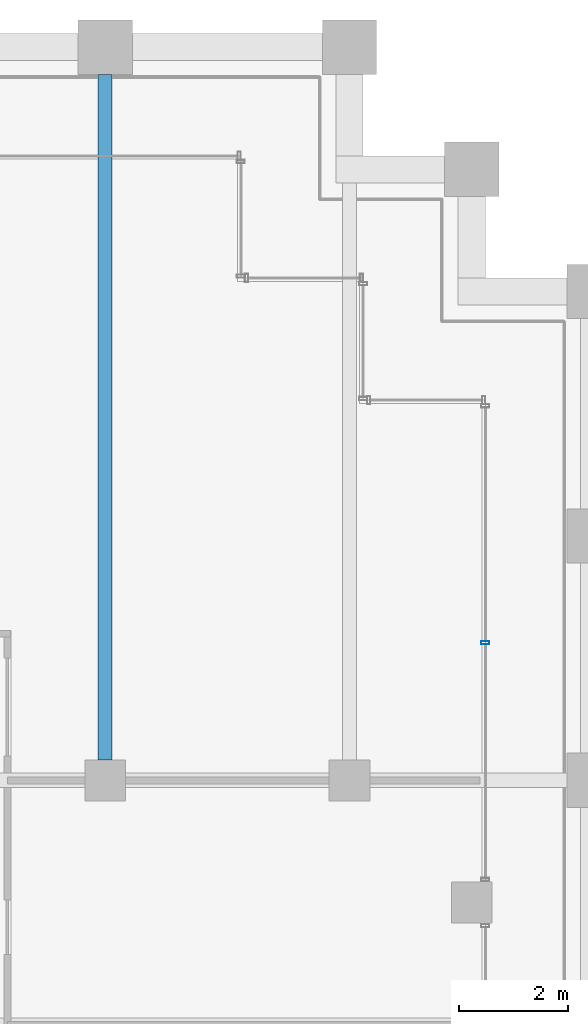
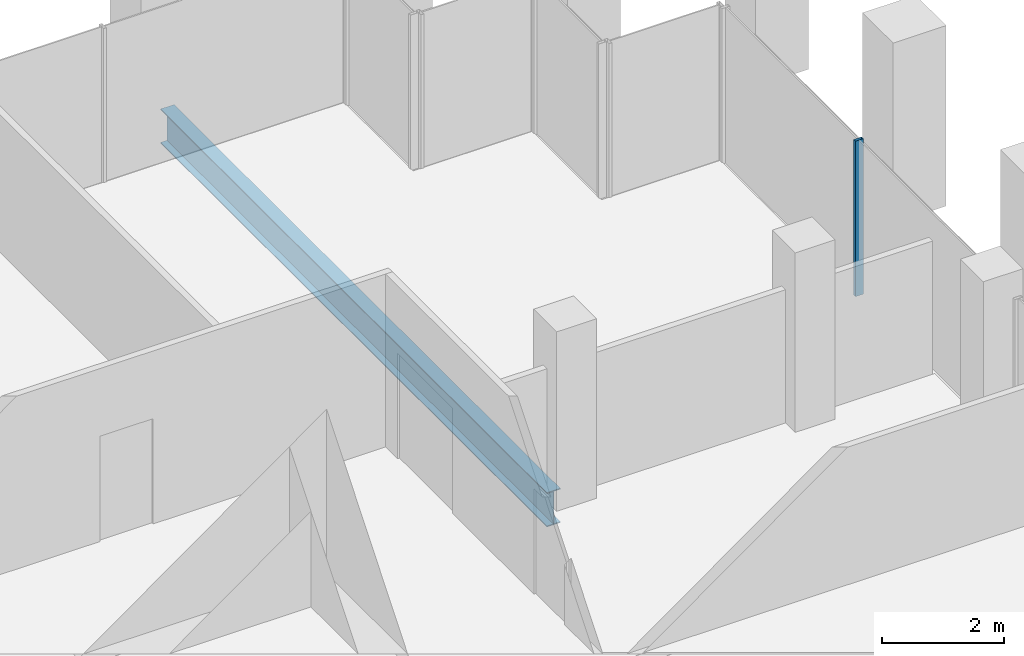
# One storey, part 24 of 46: 1 beam, 1 member, 1 element without a shape of its own.
"""IFC4 building model written with IfcOpenShell, lengths in metres."""

from ifc_helpers import new_model, si_unit, direction, frame, origin, origin_2d, place, context, subcontext, project, spatial, hollow_rectangle, i_section, extrude, material, material_profile, profile_set, type_object, element, aggregate, save


model = new_model("IFC4")

# Units and contexts
model_context = context("Model", 3, precision=1e-05, world=origin(), true_north=direction((0.0, 1.0)))
body_context = subcontext(model_context, "Body", "Model", "MODEL_VIEW")
ifc_project = project(units=[si_unit("LENGTHUNIT", "METRE"), si_unit("AREAUNIT", "SQUARE_METRE"), si_unit("VOLUMEUNIT", "CUBIC_METRE"), si_unit("PLANEANGLEUNIT", "RADIAN"), si_unit("MASSUNIT", "GRAM", prefix="KILO")], contexts=[model_context])

# Site, building, storey
site_placement = place(None, origin())
site = spatial("IfcSite", under=ifc_project, at=site_placement, CompositionType="ELEMENT")
building_placement = place(site_placement, origin())
building = spatial("IfcBuilding", under=site, at=building_placement, Name="Altepetl Exchange Towers", CompositionType="ELEMENT")
storey_placement = place(building_placement, frame((0.0, 0.0, 131.60009765625)))
storey = spatial("IfcBuildingStorey", under=building, at=storey_placement, Name="L32", CompositionType="ELEMENT", Elevation=131.60009765625)

# Beam
ifc_material_1 = material(Name="Steel S355", Category="steel")
ifc_material_profile_1 = material_profile(ifc_material_1, i_section(OverallWidth=0.25390625, OverallDepth=0.68408203125, WebThickness=0.012451171875, FlangeThickness=0.018798828125, at=origin_2d()), Name="W27X94")
ifc_profile_set_1 = profile_set([ifc_material_profile_1], Name="Steel S355")
beam_type = type_object("IfcBeamType", Name="Floor beam W27X94", PredefinedType="BEAM", material=ifc_profile_set_1)
beam_placement = place(storey_placement, frame((63.0, 58.875, -0.4921875), z_axis=(0.0, 1.0, 0.0), x_axis=(-1.0, 0.0, 0.0)))
element("IfcBeam", 1, at=beam_placement, inside=storey, type_object=beam_type, Name="bm:A:L32:004", PredefinedType="BEAM", context=body_context, shape_type="SweptSolid", body=[
    extrude(i_section(OverallWidth=0.25390625, OverallDepth=0.68408203125, WebThickness=0.012451171875, FlangeThickness=0.018798828125, at=origin_2d()), origin(), (0.0, 0.0, 1.0), 12.625),
])

# Curtain wall, member
ifc_material_2 = material(Name="Aluminium 6063-T6 glazing", Category="aluminium")
curtain_wall_type = type_object("IfcCurtainWallType", Name="Loggia glazing system", PredefinedType="NOTDEFINED", material=ifc_material_2)
curtain_wall_placement = place(storey_placement, origin())
curtain_wall = element("IfcCurtainWall", 2, at=curtain_wall_placement, inside=storey, type_object=curtain_wall_type, Name="CW1 run", PredefinedType="NOTDEFINED")
ifc_material_3 = material(Name="Aluminium 6063-T6", Category="aluminium")
ifc_material_profile_2 = material_profile(ifc_material_3, hollow_rectangle(XDim=0.06005859375, YDim=0.14990234375, WallThickness=0.0029296875, at=origin_2d()), Name="Mullion 60x150 aluminium")
ifc_profile_set_2 = profile_set([ifc_material_profile_2], Name="Aluminium 6063-T6")
member_type = type_object("IfcMemberType", Name="Mullion 60x150 aluminium", PredefinedType="MULLION", material=ifc_profile_set_2)
member_placement = place(storey_placement, frame((70.0, 61.034912109375, 0.0), z_axis=(0.0, 0.0, 1.0), x_axis=(0.0, 1.0, 0.0)))
member = element("IfcMember", 3, at=member_placement, type_object=member_type, Name="MU1 mullion", PredefinedType="MULLION", context=body_context, shape_type="SweptSolid", body=[
    extrude(hollow_rectangle(XDim=0.06005859375, YDim=0.14990234375, WallThickness=0.0029296875, at=origin_2d()), origin(), (0.0, 0.0, 1.0), 3.099853515625),
])
aggregate(curtain_wall, [member])

save(model, "model.ifc")
